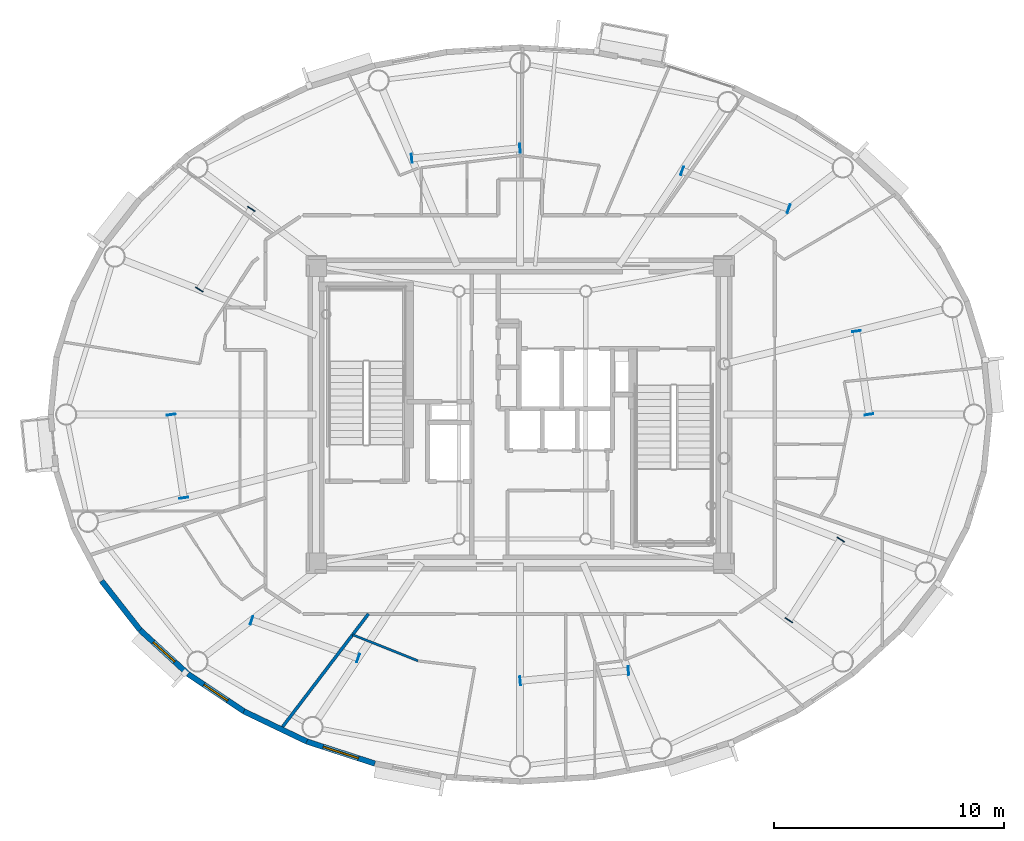
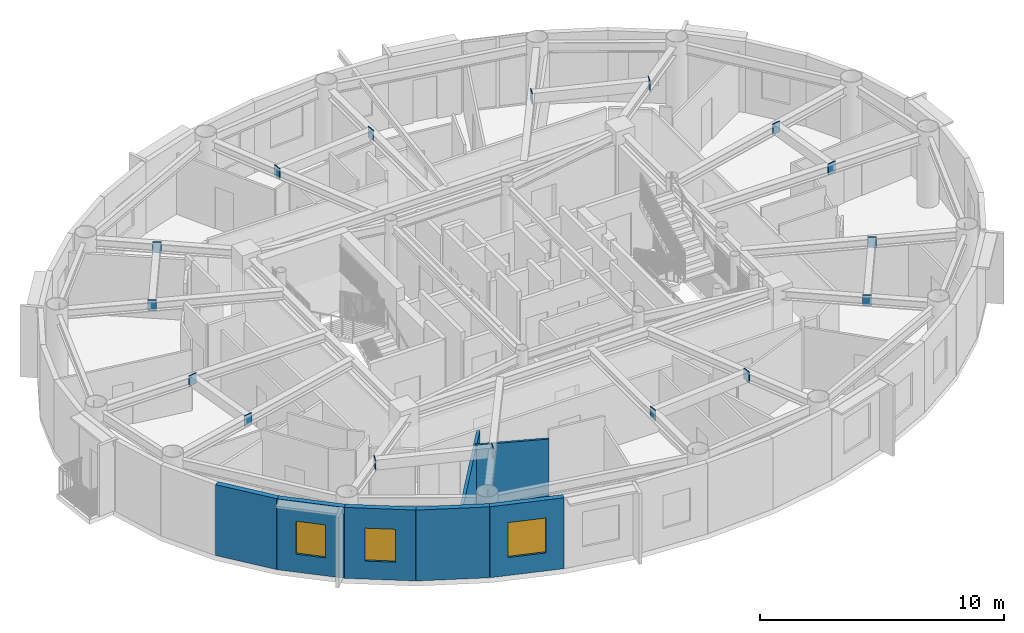
# One storey, part 5 of 17: 16 plates, 7 walls, 3 windows, 3 openings.
"""IFC4 building model written with IfcOpenShell, lengths in metres."""

from ifc_helpers import new_model, si_unit, direction, frame, frame_2d, origin, origin_2d, place, context, subcontext, project, spatial, rectangle, extrude, source, transform, mapped, material, layer, layer_set, type_object, element, fill, save


model = new_model("IFC4")

# Units and contexts
model_context = context("Model", 3, precision=1e-05, world=origin(), true_north=direction((0.0, 1.0)))
body_context = subcontext(model_context, "Body", "Model", "MODEL_VIEW")
ifc_project = project(units=[si_unit("LENGTHUNIT", "METRE"), si_unit("AREAUNIT", "SQUARE_METRE"), si_unit("VOLUMEUNIT", "CUBIC_METRE"), si_unit("PLANEANGLEUNIT", "RADIAN"), si_unit("MASSUNIT", "GRAM", prefix="KILO")], contexts=[model_context])

# Site, building, storey
site_placement = place(None, origin())
site = spatial("IfcSite", under=ifc_project, at=site_placement, CompositionType="ELEMENT")
building_placement = place(site_placement, origin())
building = spatial("IfcBuilding", under=site, at=building_placement, Name="Linh Dai School and Residence Tower", CompositionType="ELEMENT")
storey_placement = place(building_placement, frame((0.0, 0.0, 327.800048828125)))
storey = spatial("IfcBuildingStorey", under=building, at=storey_placement, Name="L81", CompositionType="ELEMENT", Elevation=327.800048828125)

# Plates
ifc_material_1 = material(Name="Structural Steel S355JR", Category="steel")
ifc_layer_1 = layer(ifc_material_1, 0.0400390625)
ifc_layer_set_1 = layer_set([ifc_layer_1], Name="Structural Steel S355JR")
plate_type = type_object("IfcPlateType", Name="PLT-GP1", PredefinedType="USERDEFINED", material=ifc_layer_set_1)
shared_shape_1 = source(origin(), body_context, "Body", "SweptSolid", [
    extrude(rectangle(XDim=0.0400390625, YDim=0.3798828125, at=origin_2d()), origin(), (0.0, 0.0, 1.0), 0.5400390625),
])
for number, where, z_axis, x_axis, name in (
    (1, (51.142333984375, 27.0048828125, 3.030029296875), (0.0, 0.0, 1.0), (-0.14919569937, 0.988807687718, 0.0), "L81 Secondary Beam End Plate 01A"),
    (2, (50.59716796875, 30.6171875, 3.030029296875), (0.0, 0.0, 1.0), (-0.14919569937, 0.988807687718, 0.0), "L81 Secondary Beam End Plate 01B"),
    (3, (47.654296875, 35.929931640625, 3.030029296875), (0.0, 0.0, 1.0), (-0.942250610754, 0.334908624154, 0.0), "L81 Secondary Beam End Plate 02A"),
    (4, (43.030517578125, 37.5732421875, 3.030029296875), (0.0, 0.0, 1.0), (-0.942250610754, 0.334908624154, 0.0), "L81 Secondary Beam End Plate 02B"),
    (5, (35.9951171875, 38.556396484375, 3.030029296875), (0.0, 0.0, 1.0), (-0.995631242952, -0.093372523034, 0.0), "L81 Secondary Beam End Plate 03A"),
    (6, (31.298095703125, 38.115966796875, 3.030029296875), (0.0, 0.0, 1.0), (-0.995631242952, -0.093372523034, 0.0), "L81 Secondary Beam End Plate 03B"),
    (7, (24.33837890625, 35.924072265625, 3.030029296875), (0.0, 0.0, 1.0), (-0.542321659553, -0.840170945451, 0.0), "L81 Secondary Beam End Plate 04A"),
    (8, (22.08056640625, 32.42626953125, 3.030029296875), (0.0, 0.0, 1.0), (-0.542321659553, -0.840170945451, 0.0), "L81 Secondary Beam End Plate 04B"),
    (9, (20.857666015625, 26.9951171875, 3.030029296875), (0.0, 0.0, 1.0), (0.14919569937, -0.988807687718, 0.0), "L81 Secondary Beam End Plate 05A"),
    (10, (21.40283203125, 23.3828125, 3.030029296875), (0.0, 0.0, 1.0), (0.14919569937, -0.988807687718, 0.0), "L81 Secondary Beam End Plate 05B"),
    (11, (24.345703125, 18.070068359375, 3.030029296875), (0.0, 0.0, 1.0), (0.942250610754, -0.334908624154, 0.0), "L81 Secondary Beam End Plate 06A"),
    (12, (28.969482421875, 16.4267578125, 3.030029296875), (0.0, 0.0, 1.0), (0.942250610754, -0.334908624154, 0.0), "L81 Secondary Beam End Plate 06B"),
    (13, (36.0048828125, 15.443603515625, 3.030029296875), (0.0, 0.0, 1.0), (0.995631242952, 0.093372523034, 0.0), "L81 Secondary Beam End Plate 07A"),
    (14, (40.701904296875, 15.884033203125, 3.030029296875), (0.0, 0.0, 1.0), (0.995631242952, 0.093372523034, 0.0), "L81 Secondary Beam End Plate 07B"),
    (15, (47.66162109375, 18.075927734375, 3.030029296875), (0.0, 0.0, 1.0), (0.542321659553, 0.840170945451, 0.0), "L81 Secondary Beam End Plate 08A"),
    (16, (49.91943359375, 21.57373046875, 3.030029296875), (0.0, 0.0, 1.0), (0.542321659553, 0.840170945451, 0.0), "L81 Secondary Beam End Plate 08B"),
):
    element("IfcPlate", number, at=place(storey_placement, frame(where, z_axis=z_axis, x_axis=x_axis)), inside=storey, type_object=plate_type, Name=name, ObjectType="GUSSET PLATE", PredefinedType="USERDEFINED", context=body_context, shape_type="MappedRepresentation", body=[
        mapped(shared_shape_1, transform((0.0, 0.0, 0.0), x_axis=(1.0, 0.0, 0.0), y_axis=(0.0, 1.0, 0.0), z_axis=(0.0, 0.0, 1.0), scale=1.0)),
    ])

# Wall
ifc_material_2 = material(Name="Precast Concrete B45 (C35/45)", Category="concrete")
ifc_layer_2 = layer(ifc_material_2, 0.239990234375)
ifc_layer_set_2 = layer_set([ifc_layer_2], Name="Precast Concrete B45 (C35/45)")
wall_type_1 = type_object("IfcWallType", Name="EW-TC-240", PredefinedType="SOLIDWALL", material=ifc_layer_set_2)
wall_1_placement = place(storey_placement, frame((19.5068359375, 17.648193359375, 0.0), z_axis=(0.0, 0.0, 1.0), x_axis=(-0.616286367698, 0.78752213492, 0.0)))
element("IfcWall", 17, at=wall_1_placement, inside=storey, type_object=wall_type_1, Name="L81 Terracotta Exterior Wall 24", PredefinedType="SOLIDWALL", context=body_context, shape_type="SweptSolid", body=[
    extrude(rectangle(XDim=2.7060546875, YDim=0.239990234375, at=frame_2d((1.35302734375, 0.0))), origin(), (0.0, 0.0, 1.0), 3.550048828125),
])

# Wall, opening, window
wall_2_placement = place(storey_placement, frame((21.581298828125, 15.745849609375, 0.0), z_axis=(0.0, 0.0, 1.0), x_axis=(-0.737020907932, 0.675869944051, 0.0)))
wall_2 = element("IfcWall", 18, at=wall_2_placement, inside=storey, type_object=wall_type_1, Name="L81 Terracotta Exterior Wall 25", PredefinedType="SOLIDWALL", context=body_context, shape_type="SweptSolid", body=[
    extrude(rectangle(XDim=2.814697265625, YDim=0.239990234375, at=frame_2d((1.4072265625, 0.0))), origin(), (0.0, 0.0, 1.0), 3.550048828125),
])
opening_1_placement = place(wall_2_placement, frame((0.781982421875, 0.0, 0.89990234375)))
opening_1 = element("IfcOpeningElement", 19, at=opening_1_placement, cuts=wall_2, Name="Opening W3", PredefinedType="OPENING", context=body_context, shape_type="SweptSolid", body=[
    extrude(rectangle(XDim=1.25, YDim=1.64990234375, at=origin_2d()), frame((0.625, 0.1298828125, 0.824951171875), z_axis=(0.0, -1.0, 0.0), x_axis=(1.0, 0.0, 0.0)), (0.0, 0.0, 1.0), 0.260009765625),
])
ifc_material_3 = material(Name="Double Low-E Insulated Glazing", Category="glass")
window_type_1 = type_object("IfcWindowType", Name="WN-RES-1250x1650", PartitioningType="SINGLE_PANEL", PredefinedType="WINDOW", material=ifc_material_3)
shared_shape_2 = source(origin(), body_context, "Body", "SweptSolid", [
    extrude(rectangle(XDim=1.25, YDim=1.64990234375, at=origin_2d()), frame((0.625, 0.030029296875, 0.824951171875), z_axis=(0.0, -1.0, 0.0), x_axis=(1.0, 0.0, 0.0)), (0.0, 0.0, 1.0), 0.06005859375),
])
window_1_placement = place(opening_1_placement, origin())
window_1 = element("IfcWindow", 20, at=window_1_placement, inside=storey, type_object=window_type_1, Name="L81 Exterior Window 25.1", OverallHeight=1.64990234375, OverallWidth=1.25, PartitioningType="SINGLE_PANEL", PredefinedType="WINDOW", context=body_context, shape_type="MappedRepresentation", body=[
    mapped(shared_shape_2, transform((0.0, 0.0, 0.0), x_axis=(1.0, 0.0, 0.0), y_axis=(0.0, 1.0, 0.0), z_axis=(0.0, 0.0, 1.0), scale=1.0)),
])
fill(opening_1, window_1)

wall_3_placement = place(storey_placement, frame((24.01220703125, 14.119873046875, 0.0), z_axis=(0.0, 0.0, 1.0), x_axis=(-0.831201688654, 0.555970999944, 0.0)))
wall_3 = element("IfcWall", 21, at=wall_3_placement, inside=storey, type_object=wall_type_1, Name="L81 Terracotta Exterior Wall 26", PredefinedType="SOLIDWALL", context=body_context, shape_type="SweptSolid", body=[
    extrude(rectangle(XDim=2.924560546875, YDim=0.239990234375, at=frame_2d((1.46240234375, 0.0))), origin(), (0.0, 0.0, 1.0), 3.550048828125),
])
opening_2_placement = place(wall_3_placement, frame((0.837158203125, 0.0, 0.89990234375)))
opening_2 = element("IfcOpeningElement", 22, at=opening_2_placement, cuts=wall_3, Name="Opening W3", PredefinedType="OPENING", context=body_context, shape_type="SweptSolid", body=[
    extrude(rectangle(XDim=1.25, YDim=1.64990234375, at=origin_2d()), frame((0.625, 0.1298828125, 0.824951171875), z_axis=(0.0, -1.0, 0.0), x_axis=(1.0, 0.0, 0.0)), (0.0, 0.0, 1.0), 0.260009765625),
])
window_2_placement = place(opening_2_placement, origin())
window_2 = element("IfcWindow", 23, at=window_2_placement, inside=storey, type_object=window_type_1, Name="L81 Exterior Window 26.1", OverallHeight=1.64990234375, OverallWidth=1.25, PartitioningType="SINGLE_PANEL", PredefinedType="WINDOW", context=body_context, shape_type="MappedRepresentation", body=[
    mapped(shared_shape_2, transform((0.0, 0.0, 0.0), x_axis=(1.0, 0.0, 0.0), y_axis=(0.0, 1.0, 0.0), z_axis=(0.0, 0.0, 1.0), scale=1.0)),
])
fill(opening_2, window_2)

# Wall
wall_4_placement = place(storey_placement, frame((26.739501953125, 12.81103515625, 0.0), z_axis=(0.0, 0.0, 1.0), x_axis=(-0.901557057889, 0.432660226241, 0.0)))
element("IfcWall", 24, at=wall_4_placement, inside=storey, type_object=wall_type_1, Name="L81 Terracotta Exterior Wall 27", PredefinedType="SOLIDWALL", context=body_context, shape_type="SweptSolid", body=[
    extrude(rectangle(XDim=3.025146484375, YDim=0.239990234375, at=frame_2d((1.5126953125, 0.0))), origin(), (0.0, 0.0, 1.0), 3.550048828125),
])

# Wall, opening, window
wall_5_placement = place(storey_placement, frame((29.696044921875, 11.85205078125, 0.0), z_axis=(0.0, 0.0, 1.0), x_axis=(-0.951212850731, 0.308535431682, 0.0)))
wall_5 = element("IfcWall", 25, at=wall_5_placement, inside=storey, type_object=wall_type_1, Name="L81 Terracotta Exterior Wall 28", PredefinedType="SOLIDWALL", context=body_context, shape_type="SweptSolid", body=[
    extrude(rectangle(XDim=3.108154296875, YDim=0.239990234375, at=frame_2d((1.55419921875, 0.0))), origin(), (0.0, 0.0, 1.0), 3.550048828125),
])
opening_3_placement = place(wall_5_placement, frame((0.75390625, 0.0, 0.89990234375)))
opening_3 = element("IfcOpeningElement", 26, at=opening_3_placement, cuts=wall_5, Name="Opening W2", PredefinedType="OPENING", context=body_context, shape_type="SweptSolid", body=[
    extrude(rectangle(XDim=1.60009765625, YDim=1.75, at=origin_2d()), frame((0.800048828125, 0.1298828125, 0.875), z_axis=(0.0, -1.0, 0.0), x_axis=(1.0, 0.0, 0.0)), (0.0, 0.0, 1.0), 0.260009765625),
])
window_type_2 = type_object("IfcWindowType", Name="WN-RES-1600x1750", PartitioningType="DOUBLE_PANEL_VERTICAL", PredefinedType="WINDOW", material=ifc_material_3)
shared_shape_3 = source(origin(), body_context, "Body", "SweptSolid", [
    extrude(rectangle(XDim=1.60009765625, YDim=1.75, at=origin_2d()), frame((0.800048828125, 0.030029296875, 0.875), z_axis=(0.0, -1.0, 0.0), x_axis=(1.0, 0.0, 0.0)), (0.0, 0.0, 1.0), 0.06005859375),
])
window_3_placement = place(opening_3_placement, origin())
window_3 = element("IfcWindow", 27, at=window_3_placement, inside=storey, type_object=window_type_2, Name="L81 Exterior Window 28.1", OverallHeight=1.75, OverallWidth=1.60009765625, PartitioningType="DOUBLE_PANEL_VERTICAL", PredefinedType="WINDOW", context=body_context, shape_type="MappedRepresentation", body=[
    mapped(shared_shape_3, transform((0.0, 0.0, 0.0), x_axis=(1.0, 0.0, 0.0), y_axis=(0.0, 1.0, 0.0), z_axis=(0.0, 0.0, 1.0), scale=1.0)),
])
fill(opening_3, window_3)

# Walls
ifc_material_4 = material(Name="Autoclaved Aerated Concrete Blockwork", Category="masonry")
ifc_layer_3 = layer(ifc_material_4, 0.135009765625)
ifc_layer_set_3 = layer_set([ifc_layer_3], Name="Autoclaved Aerated Concrete Blockwork")
wall_type_2 = type_object("IfcWallType", Name="IW-CORR-135-EI90", PredefinedType="PARTITIONING", material=ifc_layer_set_3)
wall_6_placement = place(storey_placement, frame((25.613525390625, 13.345703125, 0.0), z_axis=(0.0, 0.0, 1.0), x_axis=(0.605434685467, 0.7958949941, 0.0)))
element("IfcWall", 28, at=wall_6_placement, inside=storey, type_object=wall_type_2, Name="L81 Interior Partition Wall 020", PredefinedType="PARTITIONING", context=body_context, shape_type="SweptSolid", body=[
    extrude(rectangle(XDim=6.287353515625, YDim=0.135009765625, at=frame_2d((3.1435546875, 0.0))), origin(), (0.0, 0.0, 1.0), 3.034912109375),
])
ifc_material_5 = material(Name="Gypsum Plasterboard Acoustic Stud Partition", Category="masonry")
ifc_layer_4 = layer(ifc_material_5, 0.10009765625)
ifc_layer_set_4 = layer_set([ifc_layer_4], Name="Gypsum Plasterboard Acoustic Stud Partition")
wall_type_3 = type_object("IfcWallType", Name="IW-UNIT-100", PredefinedType="PARTITIONING", material=ifc_layer_set_4)
wall_7_placement = place(storey_placement, frame((28.730224609375, 17.443115234375, 0.0), z_axis=(0.0, 0.0, 1.0), x_axis=(0.928768706547, -0.370659803241, 0.0)))
element("IfcWall", 29, at=wall_7_placement, inside=storey, type_object=wall_type_3, Name="L81 Interior Partition Wall 025", PredefinedType="PARTITIONING", context=body_context, shape_type="SweptSolid", body=[
    extrude(rectangle(XDim=3.052978515625, YDim=0.10009765625, at=frame_2d((1.5263671875, 0.0))), origin(), (0.0, 0.0, 1.0), 3.0849609375),
])

save(model, "model.ifc")
